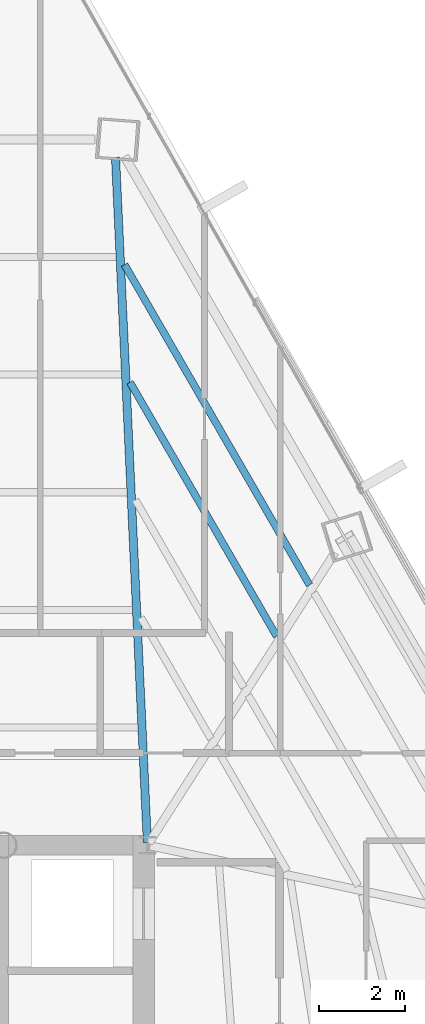
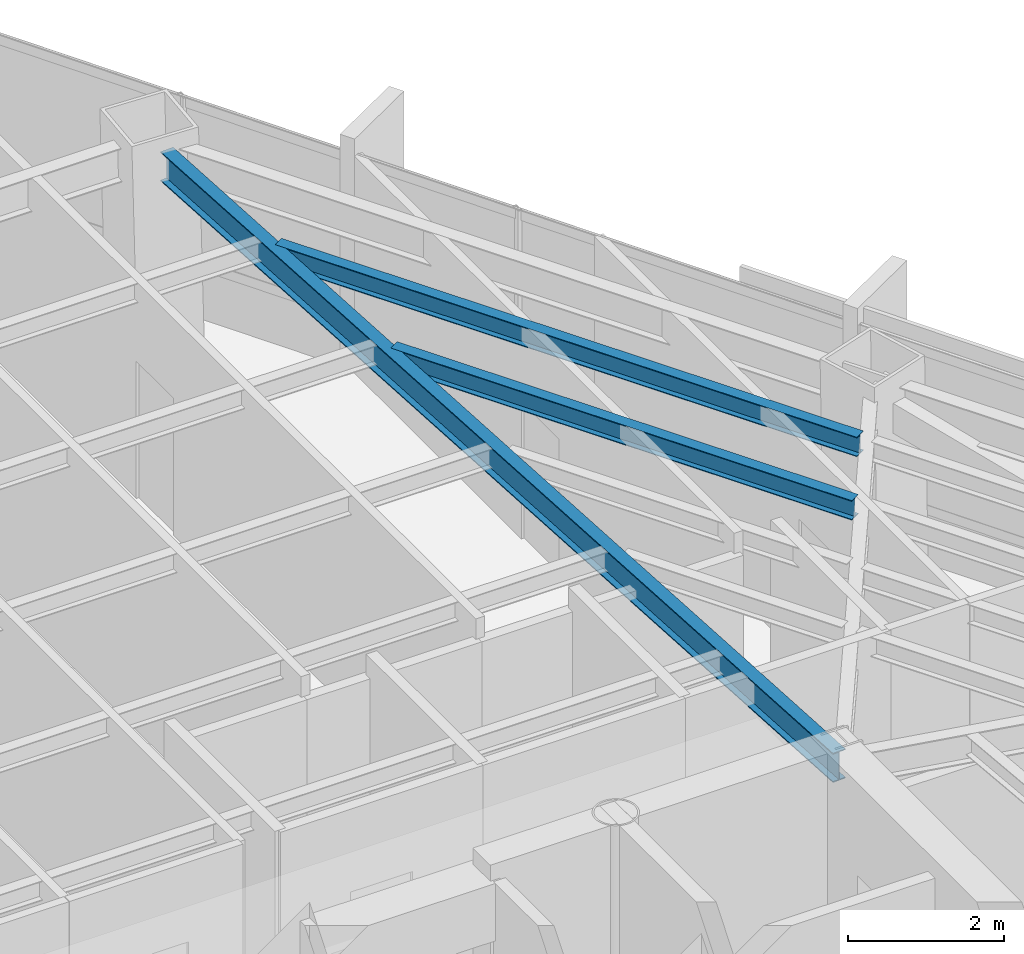
# One storey, part 31 of 42: 3 beams.
"""IFC4 building model written with IfcOpenShell, lengths in metres."""

from ifc_helpers import new_model, si_unit, direction, frame, origin, origin_2d, place, context, subcontext, project, spatial, i_section, extrude, source, transform, mapped, material, material_profile, profile_set, type_object, type_shapes, element, save


model = new_model("IFC4")

# Units and contexts
model_context = context("Model", 3, precision=1e-05, world=origin(), true_north=direction((0.0, 1.0)))
body_context = subcontext(model_context, "Body", "Model", "MODEL_VIEW")
ifc_project = project(units=[si_unit("LENGTHUNIT", "METRE"), si_unit("AREAUNIT", "SQUARE_METRE"), si_unit("VOLUMEUNIT", "CUBIC_METRE"), si_unit("PLANEANGLEUNIT", "RADIAN"), si_unit("MASSUNIT", "GRAM", prefix="KILO")], contexts=[model_context])

# Site, building, storey
site_placement = place(None, origin())
site = spatial("IfcSite", under=ifc_project, at=site_placement, CompositionType="ELEMENT")
building_placement = place(site_placement, origin())
building = spatial("IfcBuilding", under=site, at=building_placement, Name="Caelisora Broadcast Tower", CompositionType="ELEMENT")
storey_placement = place(building_placement, frame((0.0, 0.0, 131.800048828125)))
storey = spatial("IfcBuildingStorey", under=building, at=storey_placement, Name="L34", CompositionType="ELEMENT", Elevation=131.800048828125)

# Beams
ifc_material = material(Name="Steel Grade 350 (AS/NZS 3679.1)", Category="steel")
ifc_material_profile_1 = material_profile(ifc_material, i_section(OverallWidth=0.19091796875, OverallDepth=0.46044921875, WebThickness=0.010009765625, FlangeThickness=0.01611328125, at=origin_2d()), Name="Steel Grade 350 (AS/NZS 3679.1)")
ifc_profile_set_1 = profile_set([ifc_material_profile_1], Name="Steel Grade 350 (AS/NZS 3679.1)")
beam_type_1 = type_object("IfcBeamType", Name="PG06", PredefinedType="BEAM", material=ifc_profile_set_1)
shared_shape_1 = source(origin(), body_context, "Body", "SweptSolid", [
    extrude(i_section(OverallWidth=0.19091796875, OverallDepth=0.46044921875, WebThickness=0.010009765625, FlangeThickness=0.01611328125, at=origin_2d()), origin(), (0.0, 0.0, 1.0), 15.999755859375),
])
type_shapes(beam_type_1, [shared_shape_1])
beam_1_placement = place(storey_placement, frame((45.497314453125, 30.059814453125, 3.169677734375), z_axis=(-0.046418199488, 0.998922094438, 0.0), x_axis=(-0.998922094438, -0.046418199488, 0.0)))
element("IfcBeam", 1, at=beam_1_placement, inside=storey, type_object=beam_type_1, Name="L34 beam PG06", PredefinedType="BEAM", context=body_context, shape_type="MappedRepresentation", body=[
    mapped(shared_shape_1, transform((0.0, 0.0, 0.0), scale=1.0)),
])
ifc_material_profile_2 = material_profile(ifc_material, i_section(OverallWidth=0.166015625, OverallDepth=0.30712890625, WebThickness=0.006591796875, FlangeThickness=0.01171875, at=origin_2d()), Name="Steel Grade 350 (AS/NZS 3679.1)")
ifc_profile_set_2 = profile_set([ifc_material_profile_2], Name="Steel Grade 350 (AS/NZS 3679.1)")
beam_type_2 = type_object("IfcBeamType", Name="SB03", PredefinedType="JOIST", material=ifc_profile_set_2)
shared_shape_2 = source(origin(), body_context, "Body", "SweptSolid", [
    extrude(i_section(OverallWidth=0.166015625, OverallDepth=0.30712890625, WebThickness=0.006591796875, FlangeThickness=0.01171875, at=origin_2d()), origin(), (0.0, 0.0, 1.0), 6.83935546875),
])
beam_2_placement = place(storey_placement, frame((48.51220703125, 34.8740234375, 3.246337890625), z_axis=(-0.499997459831, 0.866026870347, 0.0), x_axis=(-0.866026870347, -0.499997459831, 0.0)))
element("IfcBeam", 2, at=beam_2_placement, inside=storey, type_object=beam_type_2, Name="L34 beam SB03", PredefinedType="JOIST", context=body_context, shape_type="MappedRepresentation", body=[
    mapped(shared_shape_2, transform((0.0, 0.0, 0.0), scale=1.0)),
])
shared_shape_3 = source(origin(), body_context, "Body", "SweptSolid", [
    extrude(i_section(OverallWidth=0.166015625, OverallDepth=0.30712890625, WebThickness=0.006591796875, FlangeThickness=0.01171875, at=origin_2d()), origin(), (0.0, 0.0, 1.0), 8.626708984375),
])
type_shapes(beam_type_2, [shared_shape_2, shared_shape_3])
beam_3_placement = place(storey_placement, frame((49.2783203125, 36.06982421875, 3.246337890625), z_axis=(-0.499989480838, 0.866031476941, 0.0), x_axis=(-0.866031476941, -0.499989480838, 0.0)))
element("IfcBeam", 3, at=beam_3_placement, inside=storey, type_object=beam_type_2, Name="L34 beam SB03", PredefinedType="JOIST", context=body_context, shape_type="MappedRepresentation", body=[
    mapped(shared_shape_3, transform((0.0, 0.0, 0.0), scale=1.0)),
])

save(model, "model.ifc")
